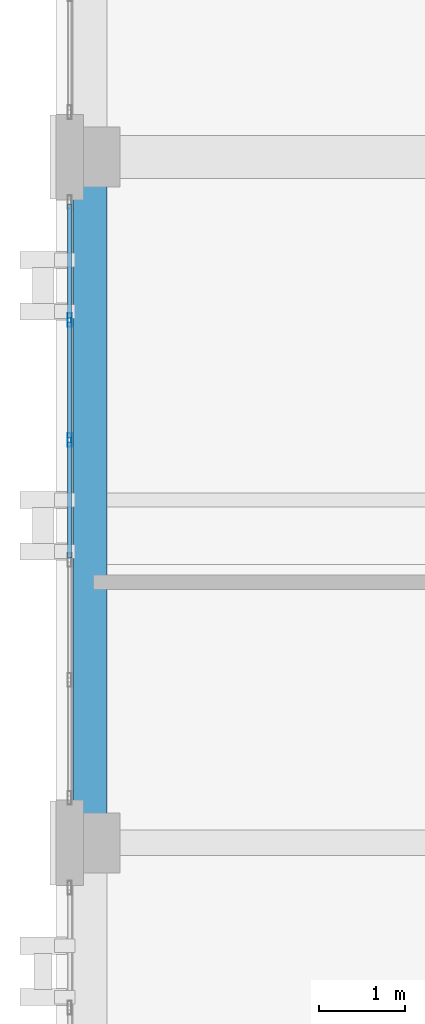
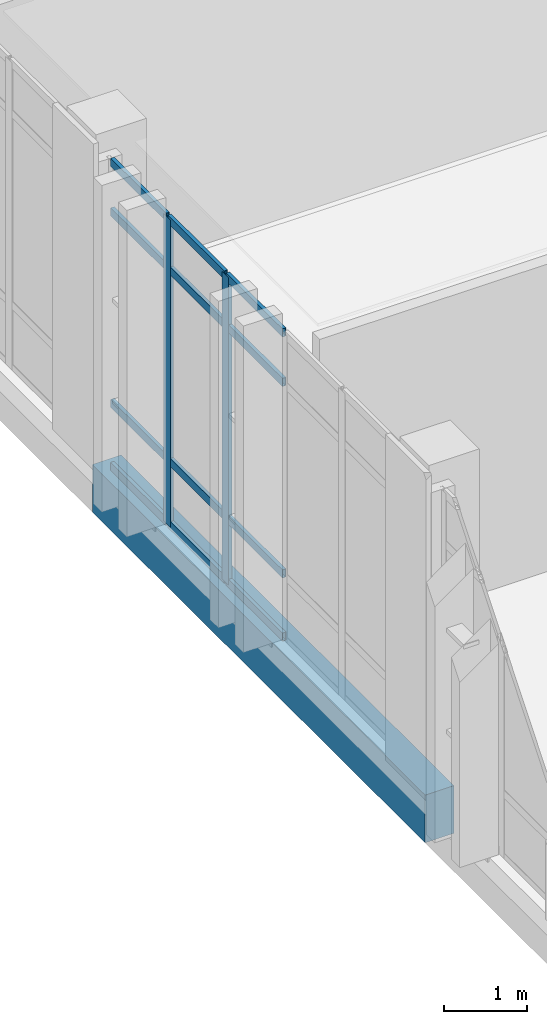
# One storey, part 24 of 189: 14 members, 1 beam, 1 element without a shape of its own.
"""IFC4 building model written with IfcOpenShell, lengths in metres."""

import ifcopenshell
import ifcopenshell.guid

model = None  # the IFC model being written
_history = None  # IfcOwnerHistory: only IFC2X3 demands one
_inside = {}  # id of a spatial element -> (the spatial element, [elements in it])
_under = {}  # id of a project, library or spatial element -> (it, [spatial elements below it])
_declared = {}  # id of a project -> (the project, [libraries it declares])
_typed = {}  # id of a type object -> (the type object, [elements of that type])
_made_of = {}  # id of a material, layer set ... -> (it, [elements and type objects made of it])


def new_model(schema):
    """Start an empty IFC model of exactly this schema.

    Asked for "IFC4X3", IfcOpenShell would pick the latest addendum, in which some entities
    have other attributes; the version numbers below select the first issue.
    IFC2X3 requires an IfcOwnerHistory on every rooted entity: one is made here for all.
    """
    global model, _history
    if schema == "IFC4X3":
        model = ifcopenshell.file(schema_version=(4, 3, 0, 0))
    else:
        model = ifcopenshell.file(schema=schema)
    _inside.clear()
    _under.clear()
    _declared.clear()
    _typed.clear()
    _made_of.clear()
    _history = None
    if model.schema == "IFC2X3":
        org = make("IfcOrganization", Name="unknown")
        user = make(
            "IfcPersonAndOrganization",
            ThePerson=make("IfcPerson", FamilyName="unknown"),
            TheOrganization=org,
        )
        app = make(
            "IfcApplication",
            ApplicationDeveloper=org,
            Version="unknown",
            ApplicationFullName="unknown",
            ApplicationIdentifier="unknown",
        )
        _history = make(
            "IfcOwnerHistory",
            OwningUser=user,
            OwningApplication=app,
            ChangeAction="ADDED",
            CreationDate=0,
        )
    return model


def make(cls, **values):
    """One entity of the class cls with the attributes given. An attribute that is None is left unset."""
    return model.create_entity(
        cls, **{name: value for name, value in values.items() if value is not None}
    )


def rooted(cls, **values):
    """An entity with a GlobalId (a new one), such as an element, a storey or a relation."""
    return make(cls, GlobalId=ifcopenshell.guid.new(), OwnerHistory=_history, **values)


def si_unit(unit_type, name, prefix=None):
    """IfcSIUnit, for example si_unit("LENGTHUNIT", "METRE", prefix="MILLI")."""
    return make("IfcSIUnit", UnitType=unit_type, Prefix=prefix, Name=name)


def assignment(units):
    """IfcUnitAssignment: the units of a project."""
    return None if units is None else make("IfcUnitAssignment", Units=units)


def point(xyz):
    """IfcCartesianPoint."""
    return None if xyz is None else make("IfcCartesianPoint", Coordinates=xyz)


def direction(xyz):
    """IfcDirection."""
    return None if xyz is None else make("IfcDirection", DirectionRatios=xyz)


def frame(location, z_axis=None, x_axis=None):
    """IfcAxis2Placement3D, a coordinate frame: its origin and axes. An axis left out is left unset."""
    return make(
        "IfcAxis2Placement3D",
        Location=point(location),
        Axis=direction(z_axis),
        RefDirection=direction(x_axis),
    )


def frame_2d(location, x_axis=None):
    """IfcAxis2Placement2D, a coordinate frame in the plane: its origin and x axis."""
    return make(
        "IfcAxis2Placement2D", Location=point(location), RefDirection=direction(x_axis)
    )


def origin():
    """The frame at (0, 0, 0) with its axes left unset."""
    return frame((0.0, 0.0, 0.0))


def origin_2d():
    """The frame at (0, 0) in the plane with its x axis left unset."""
    return frame_2d((0.0, 0.0))


def place(relative_to, where):
    """IfcLocalPlacement: puts the frame where relative to a parent placement (None: the world)."""
    return make(
        "IfcLocalPlacement", PlacementRelTo=relative_to, RelativePlacement=where
    )


def context(
    kind, dimensions, precision=None, world=None, true_north=None, identifier=None
):
    """IfcGeometricRepresentationContext, for example the 3D "Model" context."""
    return make(
        "IfcGeometricRepresentationContext",
        ContextIdentifier=identifier,
        ContextType=kind,
        CoordinateSpaceDimension=dimensions,
        Precision=precision,
        WorldCoordinateSystem=world,
        TrueNorth=true_north,
    )


def subcontext(parent, identifier, kind, view, scale=None):
    """IfcGeometricRepresentationSubContext, for example "Body" below "Model"."""
    return make(
        "IfcGeometricRepresentationSubContext",
        ContextIdentifier=identifier,
        ContextType=kind,
        ParentContext=parent,
        TargetScale=scale,
        TargetView=view,
    )


def project(units=None, contexts=None):
    """IfcProject with its units and contexts."""
    return rooted(
        "IfcProject",
        Name="project",
        RepresentationContexts=contexts,
        UnitsInContext=assignment(units),
    )


def spatial(cls, under=None, at=None, **own):
    """A site, building, storey or space (cls), placed at a placement, below another one or the project."""
    s = rooted(cls, ObjectPlacement=at, **own)
    if under is not None:
        _under.setdefault(under.id(), (under, []))[1].append(s)
    return s


def profile(cls, at=None, kind="AREA", **sizes):
    """A parametric profile (cls). Its sizes go by their IFC names, for example OverallWidth=200.0."""
    return make(cls, ProfileType=kind, Position=at, **sizes)


def rectangle(**sizes):
    """IfcRectangleProfileDef."""
    return profile("IfcRectangleProfileDef", **sizes)


def hollow_rectangle(**sizes):
    """IfcRectangleHollowProfileDef."""
    return profile("IfcRectangleHollowProfileDef", **sizes)


def extrude(swept, where, along, depth):
    """IfcExtrudedAreaSolid: the profile swept, set in the frame where, extruded along a direction by depth."""
    return make(
        "IfcExtrudedAreaSolid",
        SweptArea=swept,
        Position=where,
        ExtrudedDirection=direction(along),
        Depth=depth,
    )


def shape(context_of_items, identifier, shape_type, items):
    """IfcShapeRepresentation: the items that make up one representation, for example the "Body"."""
    return make(
        "IfcShapeRepresentation",
        ContextOfItems=context_of_items,
        RepresentationIdentifier=identifier,
        RepresentationType=shape_type,
        Items=items,
    )


def material(Name=None, Category=None):
    """IfcMaterial."""
    return make("IfcMaterial", Name=Name, Category=Category)


def layer(
    of_material, thickness, ventilated=None, Name=None, Category=None, Priority=None
):
    """IfcMaterialLayer: one layer of a wall or slab, of a material (None: an air gap)."""
    return make(
        "IfcMaterialLayer",
        Material=of_material,
        LayerThickness=thickness,
        IsVentilated=ventilated,
        Name=Name,
        Category=Category,
        Priority=Priority,
    )


def layer_set(layers, Name=None):
    """IfcMaterialLayerSet."""
    return make("IfcMaterialLayerSet", MaterialLayers=layers, LayerSetName=Name)


def material_profile(
    of_material, cross_section, Name=None, Category=None, Priority=None
):
    """IfcMaterialProfile: a cross section and its material."""
    return make(
        "IfcMaterialProfile",
        Name=Name,
        Material=of_material,
        Profile=cross_section,
        Priority=Priority,
        Category=Category,
    )


def profile_set(profiles, Name=None, composite=None):
    """IfcMaterialProfileSet."""
    return make(
        "IfcMaterialProfileSet",
        Name=Name,
        MaterialProfiles=profiles,
        CompositeProfile=composite,
    )


def made_of(thing, what):
    """Note that an element or type object is made of a material, layer set ...; save() writes the relation."""
    if what is not None:
        _made_of.setdefault(what.id(), (what, []))[1].append(thing)
    return thing


def type_object(cls, material=None, **own):
    """A type object (cls), such as IfcWallType, which elements share."""
    return made_of(rooted(cls, **own), material)


def element(
    cls,
    number,
    at=None,
    inside=None,
    cuts=None,
    type_object=None,
    material=None,
    context=None,
    identifier="Body",
    shape_type=None,
    held_by="IfcProductDefinitionShape",
    body=None,
    shapes=None,
    **own,
):
    """One element of the class cls, such as IfcWall. Its Tag is "e" and its number.

    at: its placement. inside: the storey or other place that contains it. cuts: it is an
    opening in that element (IfcRelVoidsElement). A single representation is given by context,
    identifier, shape_type and body (its items); several are given by shapes. held_by: the class
    of the entity that holds the representations. save() writes the other relations.
    """
    e = rooted(cls, Tag="e%d" % number, ObjectPlacement=at, **own)
    if body is not None:
        shapes = [shape(context, identifier, shape_type, body)]
    if shapes is not None:
        e.Representation = make(held_by, Representations=shapes)
    if inside is not None:
        _inside.setdefault(inside.id(), (inside, []))[1].append(e)
    if cuts is not None:
        rooted(
            "IfcRelVoidsElement", RelatingBuildingElement=cuts, RelatedOpeningElement=e
        )
    if type_object is not None:
        _typed.setdefault(type_object.id(), (type_object, []))[1].append(e)
    return made_of(e, material)


def aggregate(whole, parts):
    """IfcRelAggregates: a whole, such as a stair, and the parts it consists of."""
    return rooted("IfcRelAggregates", RelatingObject=whole, RelatedObjects=parts)


def save(model, path):
    """Write the relations noted so far, then the file.

    IfcRelAggregates (storeys below a building ...), IfcRelContainedInSpatialStructure (elements
    in a storey), IfcRelDefinesByType, IfcRelAssociatesMaterial and IfcRelDeclares: one each for
    every whole, place, type object, material and project.
    """
    for whole, parts in _under.values():
        aggregate(whole, parts)
    for where, things in _inside.values():
        rooted(
            "IfcRelContainedInSpatialStructure",
            RelatedElements=things,
            RelatingStructure=where,
        )
    for kind, things in _typed.values():
        rooted("IfcRelDefinesByType", RelatedObjects=things, RelatingType=kind)
    for what, things in _made_of.values():
        rooted("IfcRelAssociatesMaterial", RelatedObjects=things, RelatingMaterial=what)
    for by, libraries in _declared.values():
        rooted("IfcRelDeclares", RelatingContext=by, RelatedDefinitions=libraries)
    model.write(path)


model = new_model("IFC4")

# Units and contexts
model_context = context("Model", 3, precision=1e-05, world=origin(), true_north=direction((0.0, 1.0)))
body_context = subcontext(model_context, "Body", "Model", "MODEL_VIEW")
ifc_project = project(units=[si_unit("LENGTHUNIT", "METRE"), si_unit("AREAUNIT", "SQUARE_METRE"), si_unit("VOLUMEUNIT", "CUBIC_METRE"), si_unit("PLANEANGLEUNIT", "RADIAN"), si_unit("MASSUNIT", "GRAM", prefix="KILO")], contexts=[model_context])

# Site, building, storey
site_placement = place(None, origin())
site = spatial("IfcSite", under=ifc_project, at=site_placement, CompositionType="ELEMENT")
building_placement = place(site_placement, origin())
building = spatial("IfcBuilding", under=site, at=building_placement, Name="Qalavern Law Courts", CompositionType="ELEMENT")
storey_placement = place(building_placement, frame((0.0, 0.0, 5.39990234375)))
storey = spatial("IfcBuildingStorey", under=building, at=storey_placement, Name="L01", CompositionType="ELEMENT", Elevation=5.39990234375)

# Curtain wall, members
ifc_material_1 = material(Name="Anodised aluminium and insulated glazing", Category="aluminium")
ifc_layer = layer(ifc_material_1, 0.172119140625)
ifc_layer_set = layer_set([ifc_layer], Name="Anodised aluminium and insulated glazing")
curtain_wall_type = type_object("IfcCurtainWallType", Name="ENV-CW-COURT", PredefinedType="USERDEFINED", material=ifc_layer_set)
curtain_wall_placement = place(storey_placement, origin())
curtain_wall = element("IfcCurtainWall", 1, at=curtain_wall_placement, inside=storey, type_object=curtain_wall_type, Name="V3 unitised curtain wall L01 west 6", ObjectType="UNITISED CURTAIN WALL", PredefinedType="USERDEFINED")
ifc_material_2 = material(Name="Anodised aluminium", Category="aluminium")
ifc_material_profile_1 = material_profile(ifc_material_2, hollow_rectangle(XDim=0.048095703125, YDim=0.159912109375, WallThickness=0.00390625, at=origin_2d()), Name="ALU MULLION 48x160")
ifc_profile_set_1 = profile_set([ifc_material_profile_1], Name="Anodised aluminium")
member_type_1 = type_object("IfcMemberType", Name="ENV-CWM-48x160", PredefinedType="MULLION", material=ifc_profile_set_1)
member_1_placement = place(storey_placement, frame((2.16259765625, 55.5, 0.0), z_axis=(0.0, 0.0, 1.0), x_axis=(1.0, 0.0, 0.0)))
member_1 = element("IfcMember", 2, at=member_1_placement, type_object=member_type_1, Name="CW-03 mullion 2", PredefinedType="MULLION", context=body_context, shape_type="SweptSolid", body=[
    extrude(hollow_rectangle(XDim=0.048095703125, YDim=0.159912109375, WallThickness=0.00390625, at=origin_2d()), origin(), (0.0, 0.0, 1.0), 4.510009765625),
])
member_2_placement = place(storey_placement, frame((2.16259765625, 54.10009765625, 0.0), z_axis=(0.0, 0.0, 1.0), x_axis=(1.0, 0.0, 0.0)))
member_2 = element("IfcMember", 3, at=member_2_placement, type_object=member_type_1, Name="CW-03 mullion 3", PredefinedType="MULLION", context=body_context, shape_type="SweptSolid", body=[
    extrude(hollow_rectangle(XDim=0.048095703125, YDim=0.159912109375, WallThickness=0.00390625, at=origin_2d()), origin(), (0.0, 0.0, 1.0), 4.510009765625),
])
ifc_material_profile_2 = material_profile(ifc_material_2, hollow_rectangle(XDim=0.048095703125, YDim=0.1201171875, WallThickness=0.00390625, at=origin_2d()), Name="ALU TRANSOM 48x120")
ifc_profile_set_2 = profile_set([ifc_material_profile_2], Name="Anodised aluminium")
member_type_2 = type_object("IfcMemberType", Name="ENV-CWT-48x120", PredefinedType="USERDEFINED", material=ifc_profile_set_2)
member_3_placement = place(storey_placement, frame((2.16259765625, 56.85205078125, 0.024169921875), z_axis=(0.0, -1.0, 0.0), x_axis=(1.0, 0.0, 0.0)))
member_3 = element("IfcMember", 4, at=member_3_placement, type_object=member_type_2, Name="CW-03 transom 1.1", ObjectType="TRANSOM", PredefinedType="USERDEFINED", context=body_context, shape_type="SweptSolid", body=[
    extrude(hollow_rectangle(XDim=0.048095703125, YDim=0.1201171875, WallThickness=0.00390625, at=origin_2d()), origin(), (0.0, 0.0, 1.0), 1.328125),
])
member_4_placement = place(storey_placement, frame((2.16259765625, 56.85205078125, 0.9501953125), z_axis=(0.0, -1.0, 0.0), x_axis=(1.0, 0.0, 0.0)))
member_4 = element("IfcMember", 5, at=member_4_placement, type_object=member_type_2, Name="CW-03 transom 1.2", ObjectType="TRANSOM", PredefinedType="USERDEFINED", context=body_context, shape_type="SweptSolid", body=[
    extrude(hollow_rectangle(XDim=0.048095703125, YDim=0.1201171875, WallThickness=0.00390625, at=origin_2d()), origin(), (0.0, 0.0, 1.0), 1.328125),
])
member_5_placement = place(storey_placement, frame((2.16259765625, 56.85205078125, 3.760009765625), z_axis=(0.0, -1.0, 0.0), x_axis=(1.0, 0.0, 0.0)))
member_5 = element("IfcMember", 6, at=member_5_placement, type_object=member_type_2, Name="CW-03 transom 1.3", ObjectType="TRANSOM", PredefinedType="USERDEFINED", context=body_context, shape_type="SweptSolid", body=[
    extrude(hollow_rectangle(XDim=0.048095703125, YDim=0.1201171875, WallThickness=0.00390625, at=origin_2d()), origin(), (0.0, 0.0, 1.0), 1.328125),
])
member_6_placement = place(storey_placement, frame((2.16259765625, 56.85205078125, 4.486083984375), z_axis=(0.0, -1.0, 0.0), x_axis=(1.0, 0.0, 0.0)))
member_6 = element("IfcMember", 7, at=member_6_placement, type_object=member_type_2, Name="CW-03 transom 1.4", ObjectType="TRANSOM", PredefinedType="USERDEFINED", context=body_context, shape_type="SweptSolid", body=[
    extrude(hollow_rectangle(XDim=0.048095703125, YDim=0.1201171875, WallThickness=0.00390625, at=origin_2d()), origin(), (0.0, 0.0, 1.0), 1.328125),
])
member_7_placement = place(storey_placement, frame((2.16259765625, 55.47607421875, 0.024169921875), z_axis=(0.0, -1.0, 0.0), x_axis=(1.0, 0.0, 0.0)))
member_7 = element("IfcMember", 8, at=member_7_placement, type_object=member_type_2, Name="CW-03 transom 2.1", ObjectType="TRANSOM", PredefinedType="USERDEFINED", context=body_context, shape_type="SweptSolid", body=[
    extrude(hollow_rectangle(XDim=0.048095703125, YDim=0.1201171875, WallThickness=0.00390625, at=origin_2d()), origin(), (0.0, 0.0, 1.0), 1.35205078125),
])
member_8_placement = place(storey_placement, frame((2.16259765625, 55.47607421875, 0.9501953125), z_axis=(0.0, -1.0, 0.0), x_axis=(1.0, 0.0, 0.0)))
member_8 = element("IfcMember", 9, at=member_8_placement, type_object=member_type_2, Name="CW-03 transom 2.2", ObjectType="TRANSOM", PredefinedType="USERDEFINED", context=body_context, shape_type="SweptSolid", body=[
    extrude(hollow_rectangle(XDim=0.048095703125, YDim=0.1201171875, WallThickness=0.00390625, at=origin_2d()), origin(), (0.0, 0.0, 1.0), 1.35205078125),
])
member_9_placement = place(storey_placement, frame((2.16259765625, 55.47607421875, 3.760009765625), z_axis=(0.0, -1.0, 0.0), x_axis=(1.0, 0.0, 0.0)))
member_9 = element("IfcMember", 10, at=member_9_placement, type_object=member_type_2, Name="CW-03 transom 2.3", ObjectType="TRANSOM", PredefinedType="USERDEFINED", context=body_context, shape_type="SweptSolid", body=[
    extrude(hollow_rectangle(XDim=0.048095703125, YDim=0.1201171875, WallThickness=0.00390625, at=origin_2d()), origin(), (0.0, 0.0, 1.0), 1.35205078125),
])
member_10_placement = place(storey_placement, frame((2.16259765625, 55.47607421875, 4.486083984375), z_axis=(0.0, -1.0, 0.0), x_axis=(1.0, 0.0, 0.0)))
member_10 = element("IfcMember", 11, at=member_10_placement, type_object=member_type_2, Name="CW-03 transom 2.4", ObjectType="TRANSOM", PredefinedType="USERDEFINED", context=body_context, shape_type="SweptSolid", body=[
    extrude(hollow_rectangle(XDim=0.048095703125, YDim=0.1201171875, WallThickness=0.00390625, at=origin_2d()), origin(), (0.0, 0.0, 1.0), 1.35205078125),
])
member_11_placement = place(storey_placement, frame((2.16259765625, 54.075927734375, 0.024169921875), z_axis=(0.0, -1.0, 0.0), x_axis=(1.0, 0.0, 0.0)))
member_11 = element("IfcMember", 12, at=member_11_placement, type_object=member_type_2, Name="CW-03 transom 3.1", ObjectType="TRANSOM", PredefinedType="USERDEFINED", context=body_context, shape_type="SweptSolid", body=[
    extrude(hollow_rectangle(XDim=0.048095703125, YDim=0.1201171875, WallThickness=0.00390625, at=origin_2d()), origin(), (0.0, 0.0, 1.0), 1.351806640625),
])
member_12_placement = place(storey_placement, frame((2.16259765625, 54.075927734375, 0.9501953125), z_axis=(0.0, -1.0, 0.0), x_axis=(1.0, 0.0, 0.0)))
member_12 = element("IfcMember", 13, at=member_12_placement, type_object=member_type_2, Name="CW-03 transom 3.2", ObjectType="TRANSOM", PredefinedType="USERDEFINED", context=body_context, shape_type="SweptSolid", body=[
    extrude(hollow_rectangle(XDim=0.048095703125, YDim=0.1201171875, WallThickness=0.00390625, at=origin_2d()), origin(), (0.0, 0.0, 1.0), 1.351806640625),
])
member_13_placement = place(storey_placement, frame((2.16259765625, 54.075927734375, 3.760009765625), z_axis=(0.0, -1.0, 0.0), x_axis=(1.0, 0.0, 0.0)))
member_13 = element("IfcMember", 14, at=member_13_placement, type_object=member_type_2, Name="CW-03 transom 3.3", ObjectType="TRANSOM", PredefinedType="USERDEFINED", context=body_context, shape_type="SweptSolid", body=[
    extrude(hollow_rectangle(XDim=0.048095703125, YDim=0.1201171875, WallThickness=0.00390625, at=origin_2d()), origin(), (0.0, 0.0, 1.0), 1.351806640625),
])
member_14_placement = place(storey_placement, frame((2.16259765625, 54.075927734375, 4.486083984375), z_axis=(0.0, -1.0, 0.0), x_axis=(1.0, 0.0, 0.0)))
member_14 = element("IfcMember", 15, at=member_14_placement, type_object=member_type_2, Name="CW-03 transom 3.4", ObjectType="TRANSOM", PredefinedType="USERDEFINED", context=body_context, shape_type="SweptSolid", body=[
    extrude(hollow_rectangle(XDim=0.048095703125, YDim=0.1201171875, WallThickness=0.00390625, at=origin_2d()), origin(), (0.0, 0.0, 1.0), 1.351806640625),
])
aggregate(curtain_wall, [member_1, member_2, member_3, member_4, member_5, member_6, member_7, member_8, member_9, member_10, member_11, member_12, member_13, member_14])

# Beam
ifc_material_3 = material(Name="Concrete C40/50", Category="concrete")
ifc_material_profile_3 = material_profile(ifc_material_3, rectangle(XDim=0.39990234375, YDim=0.699951171875, at=origin_2d()), Name="RC 400x700")
ifc_profile_set_3 = profile_set([ifc_material_profile_3], Name="Concrete C40/50")
beam_type = type_object("IfcBeamType", Name="STR-SP-RC400x700", PredefinedType="SPANDREL", material=ifc_profile_set_3)
beam_placement = place(storey_placement, frame((2.39990234375, 49.39990234375, -0.64990234375), z_axis=(0.0, 1.0, 0.0), x_axis=(-1.0, 0.0, 0.0)))
element("IfcBeam", 16, at=beam_placement, inside=storey, type_object=beam_type, Name="V3 Y-beam 1-2 L01", PredefinedType="SPANDREL", context=body_context, shape_type="SweptSolid", body=[
    extrude(rectangle(XDim=0.39990234375, YDim=0.699951171875, at=origin_2d()), origin(), (0.0, 0.0, 1.0), 8.0),
])

save(model, "model.ifc")
